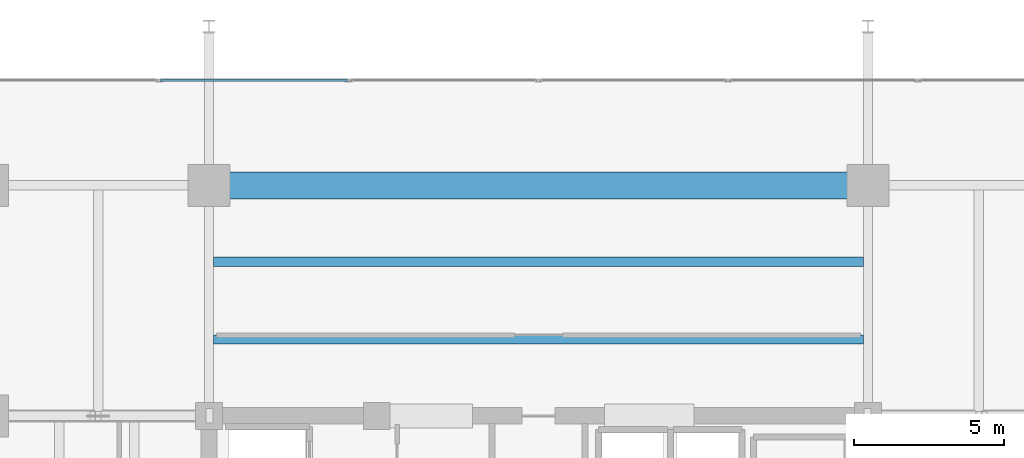
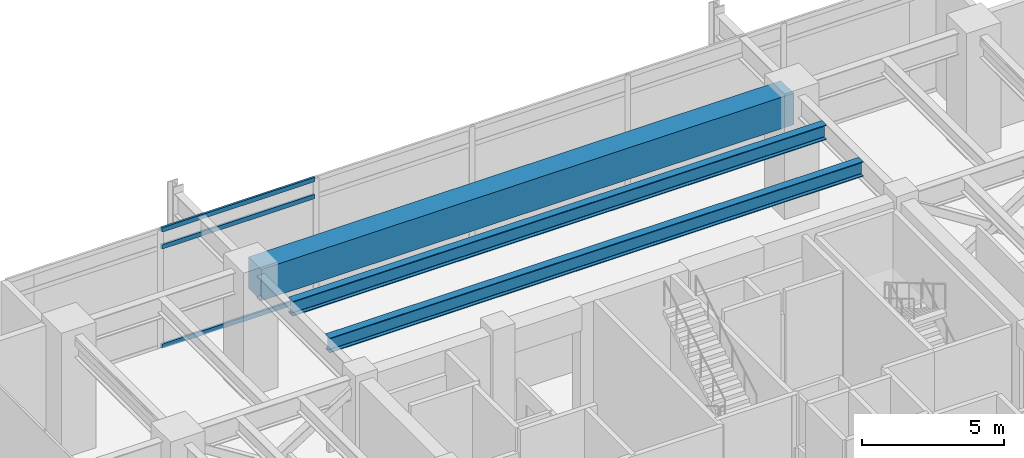
# One storey, part 13 of 21: 3 beams, 3 members, 1 element without a shape of its own.
"""IFC4 building model written with IfcOpenShell, lengths in metres."""

from ifc_helpers import new_model, si_unit, direction, frame, origin, origin_2d, place, context, subcontext, project, spatial, rectangle, hollow_rectangle, i_section, extrude, material, material_profile, profile_set, type_object, element, aggregate, save


model = new_model("IFC4")

# Units and contexts
model_context = context("Model", 3, precision=1e-05, world=origin(), true_north=direction((0.0, 1.0)))
body_context = subcontext(model_context, "Body", "Model", "MODEL_VIEW")
ifc_project = project(units=[si_unit("LENGTHUNIT", "METRE"), si_unit("AREAUNIT", "SQUARE_METRE"), si_unit("VOLUMEUNIT", "CUBIC_METRE"), si_unit("PLANEANGLEUNIT", "RADIAN"), si_unit("MASSUNIT", "GRAM", prefix="KILO")], contexts=[model_context])

# Site, building, storey
site_placement = place(None, origin())
site = spatial("IfcSite", under=ifc_project, at=site_placement, CompositionType="ELEMENT")
building_placement = place(site_placement, origin())
building = spatial("IfcBuilding", under=site, at=building_placement, Name="Kovane Verandah Tower", CompositionType="ELEMENT")
storey_placement = place(building_placement, frame((0.0, 0.0, 189.39990234375)))
storey = spatial("IfcBuildingStorey", under=building, at=storey_placement, Name="L44", CompositionType="ELEMENT", Elevation=189.39990234375)

# Beams
ifc_material_1 = material(Name="Concrete C80/95", Category="concrete")
ifc_material_profile_1 = material_profile(ifc_material_1, rectangle(XDim=0.89990234375, YDim=1.35009765625, at=origin_2d()), Name="RCB900x1350")
ifc_profile_set_1 = profile_set([ifc_material_profile_1], Name="Concrete C80/95")
beam_type_1 = type_object("IfcBeamType", Name="BM-TR-900x1350", PredefinedType="BEAM", material=ifc_profile_set_1)
beam_placement = place(storey_placement, frame((29.179931640625, 44.199951171875, 4.425048828125), z_axis=(1.0, 0.0, 0.0), x_axis=(0.0, 1.0, 0.0)))
element("IfcBeam", 1, at=beam_placement, inside=storey, type_object=beam_type_1, Name="L44 Primary Tower Girder G-RN2", PredefinedType="BEAM", context=body_context, shape_type="SweptSolid", body=[
    extrude(rectangle(XDim=0.89990234375, YDim=1.35009765625, at=origin_2d()), origin(), (0.0, 0.0, 1.0), 21.64013671875),
])
ifc_material_2 = material(Name="Steel S460", Category="steel")
ifc_material_profile_2 = material_profile(ifc_material_2, i_section(OverallWidth=0.311279296875, OverallDepth=0.6357421875, WebThickness=0.018310546875, FlangeThickness=0.031494140625, FilletRadius=0.0166015625, at=origin_2d()), Name="UB610x305x238")
ifc_profile_set_2 = profile_set([ifc_material_profile_2], Name="Steel S460")
beam_type_2 = type_object("IfcBeamType", Name="BM-UB610x238", PredefinedType="BEAM", material=ifc_profile_set_2)
for number, where, z_axis, x_axis, name in (
    (2, (29.15185546875, 39.050048828125, 4.7822265625), (1.0, 0.0, 0.0), (0.0, 1.0, 0.0), "L44 Secondary Composite Joist J-N1"),
    (3, (29.15185546875, 41.64990234375, 4.7822265625), (1.0, 0.0, 0.0), (0.0, 1.0, 0.0), "L44 Secondary Composite Joist J-N2"),
):
    element("IfcBeam", number, at=place(storey_placement, frame(where, z_axis=z_axis, x_axis=x_axis)), inside=storey, type_object=beam_type_2, Name=name, PredefinedType="BEAM", context=body_context, shape_type="SweptSolid", body=[
        extrude(i_section(OverallWidth=0.311279296875, OverallDepth=0.6357421875, WebThickness=0.018310546875, FlangeThickness=0.031494140625, FilletRadius=0.0166015625, at=origin_2d()), origin(), (0.0, 0.0, 1.0), 21.6962890625),
    ])

# Curtain wall, members
ifc_material_3 = material(Name="Champagne Anodised Aluminium Frame with Low-E Clear Laminated Glass", Category="aluminium")
curtain_wall_type = type_object("IfcCurtainWallType", Name="CW-SYS-04-WAIST", PredefinedType="NOTDEFINED", material=ifc_material_3)
curtain_wall_placement = place(storey_placement, origin())
curtain_wall = element("IfcCurtainWall", 4, at=curtain_wall_placement, inside=storey, type_object=curtain_wall_type, Name="L44 N Unitised Curtain Wall", PredefinedType="NOTDEFINED")
ifc_material_4 = material(Name="Champagne Anodised Aluminium 6063-T6", Category="aluminium")
ifc_material_profile_3 = material_profile(ifc_material_4, hollow_rectangle(XDim=0.0849609375, YDim=0.18994140625, WallThickness=0.00390625, at=origin_2d()), Name="AL85x190x4")
ifc_profile_set_3 = profile_set([ifc_material_profile_3], Name="Champagne Anodised Aluminium 6063-T6")
member_type = type_object("IfcMemberType", Name="CW-TRN-85x190", PredefinedType="USERDEFINED", material=ifc_profile_set_3)
member_1_placement = place(storey_placement, frame((33.61669921875, 47.699951171875, 0.050048828125), z_axis=(-1.0, 0.0, 0.0), x_axis=(0.0, -1.0, 0.0)))
member_1 = element("IfcMember", 5, at=member_1_placement, type_object=member_type, Name="L44 N Unitised Curtain Wall Transom TB Bay 5", ObjectType="TRANSOM", PredefinedType="USERDEFINED", context=body_context, shape_type="SweptSolid", body=[
    extrude(hollow_rectangle(XDim=0.0849609375, YDim=0.18994140625, WallThickness=0.00390625, at=origin_2d()), origin(), (0.0, 0.0, 1.0), 6.2333984375),
])
member_2_placement = place(storey_placement, frame((33.61669921875, 47.699951171875, 4.320068359375), z_axis=(-1.0, 0.0, 0.0), x_axis=(0.0, -1.0, 0.0)))
member_2 = element("IfcMember", 6, at=member_2_placement, type_object=member_type, Name="L44 N Unitised Curtain Wall Transom TM Bay 5", ObjectType="TRANSOM", PredefinedType="USERDEFINED", context=body_context, shape_type="SweptSolid", body=[
    extrude(hollow_rectangle(XDim=0.0849609375, YDim=0.18994140625, WallThickness=0.00390625, at=origin_2d()), origin(), (0.0, 0.0, 1.0), 6.2333984375),
])
member_3_placement = place(storey_placement, frame((33.61669921875, 47.699951171875, 5.050048828125), z_axis=(-1.0, 0.0, 0.0), x_axis=(0.0, -1.0, 0.0)))
member_3 = element("IfcMember", 7, at=member_3_placement, type_object=member_type, Name="L44 N Unitised Curtain Wall Transom TT Bay 5", ObjectType="TRANSOM", PredefinedType="USERDEFINED", context=body_context, shape_type="SweptSolid", body=[
    extrude(hollow_rectangle(XDim=0.0849609375, YDim=0.18994140625, WallThickness=0.00390625, at=origin_2d()), origin(), (0.0, 0.0, 1.0), 6.2333984375),
])
aggregate(curtain_wall, [member_1, member_2, member_3])

save(model, "model.ifc")
